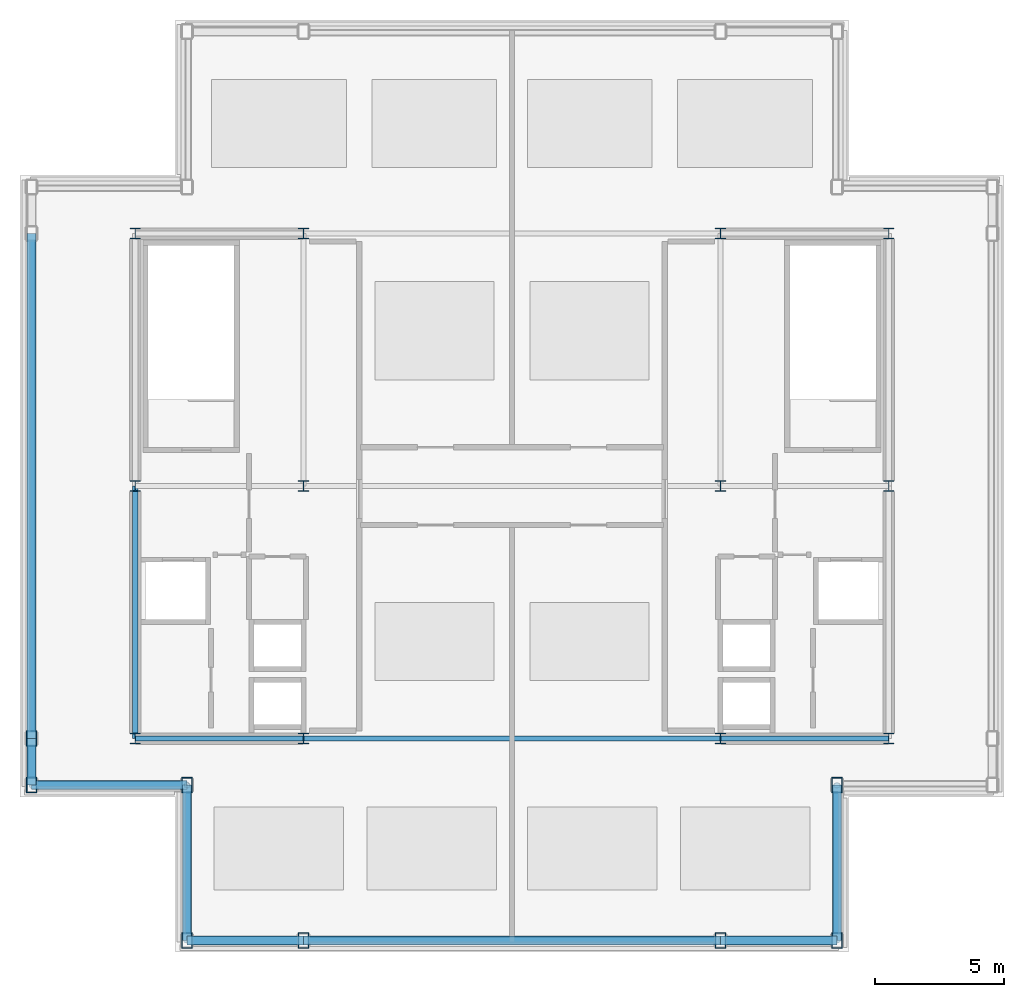
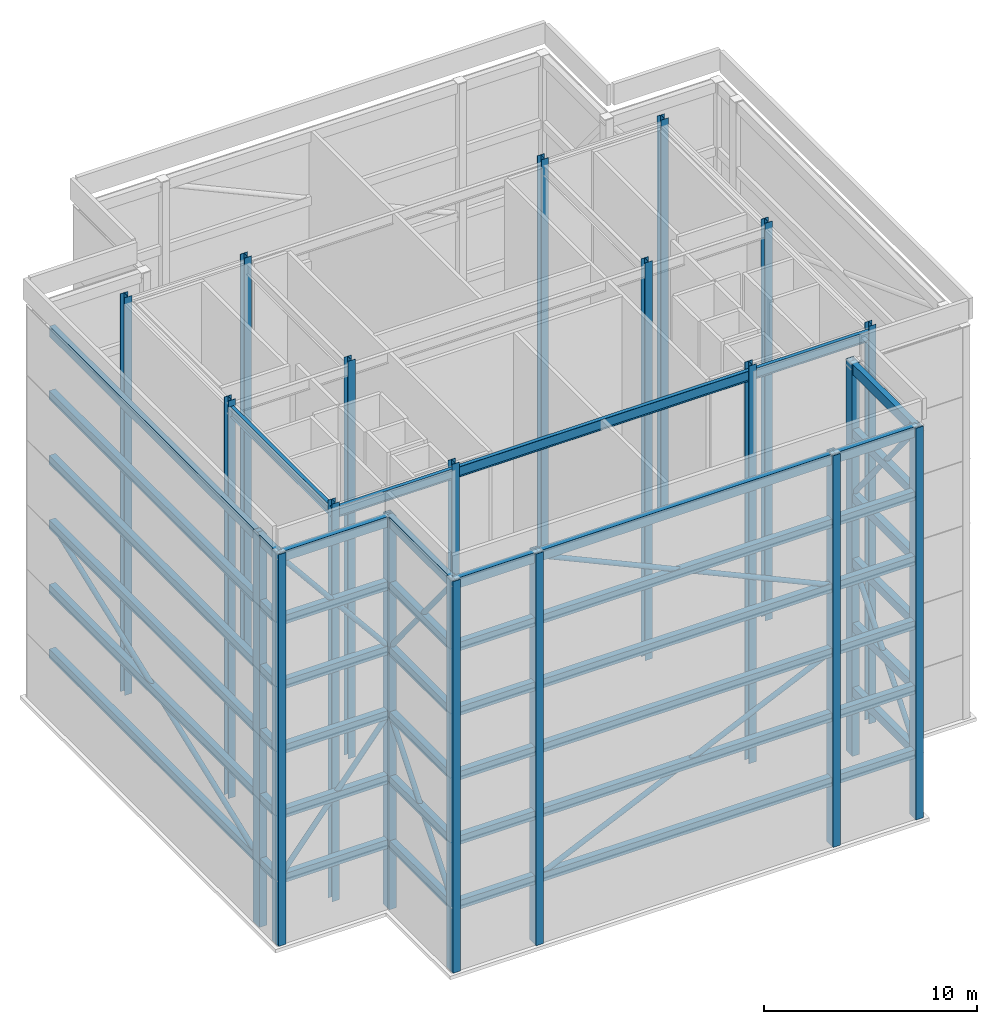
# One storey, part 1 of 8: 52 beams, 17 members, 12 columns.
"""IFC4 building model written with IfcOpenShell, lengths in metres."""

from ifc_helpers import new_model, si_unit, direction, frame, origin, origin_2d, place, context, subcontext, project, spatial, hollow_rectangle, hollow_circle, i_section, extrude, material, material_profile, profile_set, type_object, element, save


model = new_model("IFC4")

# Units and contexts
model_context = context("Model", 3, precision=1e-05, world=origin(), true_north=direction((0.0, 1.0)))
body_context = subcontext(model_context, "Body", "Model", "MODEL_VIEW")
ifc_project = project(units=[si_unit("LENGTHUNIT", "METRE"), si_unit("AREAUNIT", "SQUARE_METRE"), si_unit("VOLUMEUNIT", "CUBIC_METRE"), si_unit("PLANEANGLEUNIT", "RADIAN"), si_unit("MASSUNIT", "GRAM", prefix="KILO")], contexts=[model_context])

# Site, building, storey
site_placement = place(None, origin())
site = spatial("IfcSite", under=ifc_project, at=site_placement, CompositionType="ELEMENT")
building_placement = place(site_placement, origin())
building = spatial("IfcBuilding", under=site, at=building_placement, Name="Brelmoor Portico Tower", CompositionType="ELEMENT")
storey_placement = place(building_placement, frame((0.0, 0.0, 289.199951171875)))
storey = spatial("IfcBuildingStorey", under=building, at=storey_placement, Name="L76", CompositionType="ELEMENT", Elevation=289.199951171875)

# Columns
ifc_material = material(Name="Steel Q355B", Category="steel")
ifc_material_profile_1 = material_profile(ifc_material, i_section(OverallWidth=0.39990234375, OverallDepth=0.39990234375, WebThickness=0.012939453125, FlangeThickness=0.02099609375, at=origin_2d()), Name="HW 400x400x13x21")
ifc_profile_set_1 = profile_set([ifc_material_profile_1], Name="Steel Q355B")
column_type = type_object("IfcColumnType", Name="COL-SPINE-400", PredefinedType="COLUMN", material=ifc_profile_set_1)
for number, where, z_axis, x_axis, name in (
    (1, (-14.550048828125, -9.75, 0.0), (0.0, 0.0, 1.0), (1.0, 0.0, 0.0), "L76 Core Spine Column CW-SW"),
    (2, (-14.550048828125, 0.0, 0.0), (0.0, 0.0, 1.0), (1.0, 0.0, 0.0), "L76 Core Spine Column CW-MW"),
    (3, (-14.550048828125, 9.75, 0.0), (0.0, 0.0, 1.0), (1.0, 0.0, 0.0), "L76 Core Spine Column CW-NW"),
    (4, (-8.050048828125, -9.75, 0.0), (0.0, 0.0, 1.0), (1.0, 0.0, 0.0), "L76 Core Spine Column CW-SE"),
    (5, (-8.050048828125, 0.0, 0.0), (0.0, 0.0, 1.0), (1.0, 0.0, 0.0), "L76 Core Spine Column CW-ME"),
    (6, (-8.050048828125, 9.75, 0.0), (0.0, 0.0, 1.0), (1.0, 0.0, 0.0), "L76 Core Spine Column CW-NE"),
    (7, (8.050048828125, -9.75, 0.0), (0.0, 0.0, 1.0), (1.0, 0.0, 0.0), "L76 Core Spine Column CE-SW"),
    (8, (8.050048828125, 0.0, 0.0), (0.0, 0.0, 1.0), (1.0, 0.0, 0.0), "L76 Core Spine Column CE-MW"),
    (9, (8.050048828125, 9.75, 0.0), (0.0, 0.0, 1.0), (1.0, 0.0, 0.0), "L76 Core Spine Column CE-NW"),
    (10, (14.550048828125, -9.75, 0.0), (0.0, 0.0, 1.0), (1.0, 0.0, 0.0), "L76 Core Spine Column CE-SE"),
    (11, (14.550048828125, 0.0, 0.0), (0.0, 0.0, 1.0), (1.0, 0.0, 0.0), "L76 Core Spine Column CE-ME"),
    (12, (14.550048828125, 9.75, 0.0), (0.0, 0.0, 1.0), (1.0, 0.0, 0.0), "L76 Core Spine Column CE-NE"),
):
    element("IfcColumn", number, at=place(storey_placement, frame(where, z_axis=z_axis, x_axis=x_axis)), inside=storey, type_object=column_type, Name=name, PredefinedType="COLUMN", context=body_context, shape_type="SweptSolid", body=[
        extrude(i_section(OverallWidth=0.39990234375, OverallDepth=0.39990234375, WebThickness=0.012939453125, FlangeThickness=0.02099609375, at=origin_2d()), origin(), (0.0, 0.0, 1.0), 22.800048828125),
    ])

# Beams
ifc_material_profile_2 = material_profile(ifc_material, i_section(OverallWidth=0.199951171875, OverallDepth=0.60009765625, WebThickness=0.010986328125, FlangeThickness=0.01708984375, at=origin_2d()), Name="HN 600x200x11x17")
ifc_profile_set_2 = profile_set([ifc_material_profile_2], Name="Steel Q355B")
beam_type_1 = type_object("IfcBeamType", Name="BM-PG-600", PredefinedType="BEAM", material=ifc_profile_set_2)
beam_1_placement = place(storey_placement, frame((-14.550048828125, -9.75, 22.150146484375), z_axis=(0.0, 1.0, 0.0), x_axis=(-1.0, 0.0, 0.0)))
element("IfcBeam", 13, at=beam_1_placement, inside=storey, type_object=beam_type_1, Name="L76 Primary Floor Girder PG-01", PredefinedType="BEAM", context=body_context, shape_type="SweptSolid", body=[
    extrude(i_section(OverallWidth=0.199951171875, OverallDepth=0.60009765625, WebThickness=0.010986328125, FlangeThickness=0.01708984375, at=origin_2d()), origin(), (0.0, 0.0, 1.0), 9.75),
])
beam_2_placement = place(storey_placement, frame((-14.550048828125, -9.75, 22.150146484375), z_axis=(1.0, 0.0, 0.0), x_axis=(0.0, 1.0, 0.0)))
element("IfcBeam", 14, at=beam_2_placement, inside=storey, type_object=beam_type_1, Name="L76 Primary Floor Girder PG-07", PredefinedType="BEAM", context=body_context, shape_type="SweptSolid", body=[
    extrude(i_section(OverallWidth=0.199951171875, OverallDepth=0.60009765625, WebThickness=0.010986328125, FlangeThickness=0.01708984375, at=origin_2d()), origin(), (0.0, 0.0, 1.0), 6.5),
])
beam_3_placement = place(storey_placement, frame((-8.050048828125, -9.75, 22.150146484375), z_axis=(1.0, 0.0, 0.0), x_axis=(0.0, 1.0, 0.0)))
element("IfcBeam", 15, at=beam_3_placement, inside=storey, type_object=beam_type_1, Name="L76 Primary Floor Girder PG-08", PredefinedType="BEAM", context=body_context, shape_type="SweptSolid", body=[
    extrude(i_section(OverallWidth=0.199951171875, OverallDepth=0.60009765625, WebThickness=0.010986328125, FlangeThickness=0.01708984375, at=origin_2d()), origin(), (0.0, 0.0, 1.0), 16.10009765625),
])
beam_4_placement = place(storey_placement, frame((8.050048828125, -9.75, 22.150146484375), z_axis=(1.0, 0.0, 0.0), x_axis=(0.0, 1.0, 0.0)))
element("IfcBeam", 16, at=beam_4_placement, inside=storey, type_object=beam_type_1, Name="L76 Primary Floor Girder PG-09", PredefinedType="BEAM", context=body_context, shape_type="SweptSolid", body=[
    extrude(i_section(OverallWidth=0.199951171875, OverallDepth=0.60009765625, WebThickness=0.010986328125, FlangeThickness=0.01708984375, at=origin_2d()), origin(), (0.0, 0.0, 1.0), 6.5),
])

# Members
ifc_material_profile_3 = material_profile(ifc_material, hollow_circle(Radius=0.136474609375, WallThickness=0.011962890625, at=origin_2d()), Name="CHS 273x12")
ifc_profile_set_3 = profile_set([ifc_material_profile_3], Name="Steel Q355B")
member_type_1 = type_object("IfcMemberType", Name="CROWN FRAME BRACE", PredefinedType="BRACE", material=ifc_profile_set_3)
member_1_placement = place(storey_placement, frame((-8.050048828125, -17.550048828125, 3.699951171875), z_axis=(0.908616793884, 0.0, 0.417630844015), x_axis=(0.0, 1.0, 0.0)))
element("IfcMember", 17, at=member_1_placement, inside=storey, type_object=member_type_1, Name="CROWN FRAME Wind Brace 01A", PredefinedType="BRACE", context=body_context, shape_type="SweptSolid", body=[
    extrude(hollow_circle(Radius=0.136474609375, WallThickness=0.011962890625, at=origin_2d()), origin(), (0.0, 0.0, 1.0), 17.71923828125),
])
member_2_placement = place(storey_placement, frame((8.050048828125, -17.550048828125, 14.800048828125), z_axis=(-0.909686870958, 0.0, 0.415294831181), x_axis=(0.0, -1.0, 0.0)))
element("IfcMember", 18, at=member_2_placement, inside=storey, type_object=member_type_1, Name="CROWN FRAME Wind Brace 01B", PredefinedType="BRACE", context=body_context, shape_type="SweptSolid", body=[
    extrude(hollow_circle(Radius=0.136474609375, WallThickness=0.011962890625, at=origin_2d()), origin(), (0.0, 0.0, 1.0), 17.698486328125),
])
member_3_placement = place(storey_placement, frame((-18.550048828125, -11.550048828125, 3.699951171875), z_axis=(0.629794436495, 0.0, 0.776761847518), x_axis=(0.0, 1.0, 0.0)))
element("IfcMember", 19, at=member_3_placement, inside=storey, type_object=member_type_1, Name="CROWN FRAME Wind Brace 02A", PredefinedType="BRACE", context=body_context, shape_type="SweptSolid", body=[
    extrude(hollow_circle(Radius=0.136474609375, WallThickness=0.011962890625, at=origin_2d()), origin(), (0.0, 0.0, 1.0), 9.52685546875),
])
member_4_placement = place(storey_placement, frame((-12.550048828125, -11.550048828125, 14.800048828125), z_axis=(-0.632371447832, 0.0, 0.774665316099), x_axis=(0.0, -1.0, 0.0)))
element("IfcMember", 20, at=member_4_placement, inside=storey, type_object=member_type_1, Name="CROWN FRAME Wind Brace 02B", PredefinedType="BRACE", context=body_context, shape_type="SweptSolid", body=[
    extrude(hollow_circle(Radius=0.136474609375, WallThickness=0.011962890625, at=origin_2d()), origin(), (0.0, 0.0, 1.0), 9.488037109375),
])
member_5_placement = place(storey_placement, frame((-18.550048828125, -9.75, 3.699951171875), z_axis=(0.0, 0.934940361729, 0.354804904151), x_axis=(-1.0, 0.0, 0.0)))
element("IfcMember", 21, at=member_5_placement, inside=storey, type_object=member_type_1, Name="CROWN FRAME Wind Brace 07A", PredefinedType="BRACE", context=body_context, shape_type="SweptSolid", body=[
    extrude(hollow_circle(Radius=0.136474609375, WallThickness=0.011962890625, at=origin_2d()), origin(), (0.0, 0.0, 1.0), 20.85693359375),
])
member_6_placement = place(storey_placement, frame((-12.550048828125, -17.550048828125, 3.699951171875), z_axis=(0.0, 0.629794436495, 0.776761847518), x_axis=(-1.0, 0.0, 0.0)))
element("IfcMember", 22, at=member_6_placement, inside=storey, type_object=member_type_1, Name="CROWN FRAME Wind Brace 08A", PredefinedType="BRACE", context=body_context, shape_type="SweptSolid", body=[
    extrude(hollow_circle(Radius=0.136474609375, WallThickness=0.011962890625, at=origin_2d()), origin(), (0.0, 0.0, 1.0), 9.52685546875),
])
member_7_placement = place(storey_placement, frame((-12.550048828125, -11.550048828125, 14.800048828125), z_axis=(0.0, -0.632371447832, 0.774665316099), x_axis=(1.0, 0.0, 0.0)))
element("IfcMember", 23, at=member_7_placement, inside=storey, type_object=member_type_1, Name="CROWN FRAME Wind Brace 08B", PredefinedType="BRACE", context=body_context, shape_type="SweptSolid", body=[
    extrude(hollow_circle(Radius=0.136474609375, WallThickness=0.011962890625, at=origin_2d()), origin(), (0.0, 0.0, 1.0), 9.488037109375),
])
member_8_placement = place(storey_placement, frame((12.550048828125, -17.550048828125, 3.699951171875), z_axis=(0.0, 0.629794436495, 0.776761847518), x_axis=(-1.0, 0.0, 0.0)))
element("IfcMember", 24, at=member_8_placement, inside=storey, type_object=member_type_1, Name="CROWN FRAME Wind Brace 10A", PredefinedType="BRACE", context=body_context, shape_type="SweptSolid", body=[
    extrude(hollow_circle(Radius=0.136474609375, WallThickness=0.011962890625, at=origin_2d()), origin(), (0.0, 0.0, 1.0), 9.52685546875),
])
member_9_placement = place(storey_placement, frame((12.550048828125, -11.550048828125, 14.800048828125), z_axis=(0.0, -0.632371447832, 0.774665316099), x_axis=(1.0, 0.0, 0.0)))
element("IfcMember", 25, at=member_9_placement, inside=storey, type_object=member_type_1, Name="CROWN FRAME Wind Brace 10B", PredefinedType="BRACE", context=body_context, shape_type="SweptSolid", body=[
    extrude(hollow_circle(Radius=0.136474609375, WallThickness=0.011962890625, at=origin_2d()), origin(), (0.0, 0.0, 1.0), 9.488037109375),
])
ifc_material_profile_4 = material_profile(ifc_material, hollow_rectangle(XDim=0.39990234375, YDim=0.60009765625, WallThickness=0.02392578125, at=origin_2d()), Name="RHS 400x600x24")
ifc_profile_set_4 = profile_set([ifc_material_profile_4], Name="Steel Q355B")
member_type_2 = type_object("IfcMemberType", Name="CROWN FRAME POST", PredefinedType="POST", material=ifc_profile_set_4)
for number, where, z_axis, x_axis, name in (
    (26, (-12.550048828125, -17.550048828125, 0.0), (0.0, 0.0, 1.0), (1.0, 0.0, 0.0), "CROWN FRAME Vertical Post PS01"),
    (27, (-8.050048828125, -17.550048828125, 0.0), (0.0, 0.0, 1.0), (1.0, 0.0, 0.0), "CROWN FRAME Vertical Post PS02"),
    (28, (8.050048828125, -17.550048828125, 0.0), (0.0, 0.0, 1.0), (1.0, 0.0, 0.0), "CROWN FRAME Vertical Post PS03"),
    (29, (12.550048828125, -17.550048828125, 0.0), (0.0, 0.0, 1.0), (1.0, 0.0, 0.0), "CROWN FRAME Vertical Post PS04"),
    (30, (-18.550048828125, -11.550048828125, 0.0), (0.0, 0.0, 1.0), (1.0, 0.0, 0.0), "CROWN FRAME Vertical Post PW01"),
    (31, (-18.550048828125, -9.75, 0.0), (0.0, 0.0, 1.0), (1.0, 0.0, 0.0), "CROWN FRAME Vertical Post PW02"),
    (32, (12.550048828125, -11.550048828125, 0.0), (0.0, 0.0, 1.0), (1.0, 0.0, 0.0), "CROWN FRAME Vertical Post PC-SE"),
    (33, (-12.550048828125, -11.550048828125, 0.0), (0.0, 0.0, 1.0), (1.0, 0.0, 0.0), "CROWN FRAME Vertical Post PC-SW"),
):
    element("IfcMember", number, at=place(storey_placement, frame(where, z_axis=z_axis, x_axis=x_axis)), inside=storey, type_object=member_type_2, Name=name, PredefinedType="POST", context=body_context, shape_type="SweptSolid", body=[
        extrude(hollow_rectangle(XDim=0.39990234375, YDim=0.60009765625, WallThickness=0.02392578125, at=origin_2d()), origin(), (0.0, 0.0, 1.0), 22.449951171875),
    ])

# Beams
ifc_material_profile_5 = material_profile(ifc_material, hollow_rectangle(XDim=0.35009765625, YDim=0.5, WallThickness=0.02001953125, at=origin_2d()), Name="RHS 350x500x20")
ifc_profile_set_5 = profile_set([ifc_material_profile_5], Name="Steel Q355B")
beam_type_2 = type_object("IfcBeamType", Name="CROWN FRAME RING", PredefinedType="SPANDREL", material=ifc_profile_set_5)
beam_5_placement = place(storey_placement, frame((-12.550048828125, -17.550048828125, 3.699951171875), z_axis=(1.0, 0.0, 0.0), x_axis=(0.0, 1.0, 0.0)))
element("IfcBeam", 34, at=beam_5_placement, inside=storey, type_object=beam_type_2, Name="CROWN FRAME Ring Beam Tier 1-01", PredefinedType="SPANDREL", context=body_context, shape_type="SweptSolid", body=[
    extrude(hollow_rectangle(XDim=0.35009765625, YDim=0.5, WallThickness=0.02001953125, at=origin_2d()), origin(), (0.0, 0.0, 1.0), 4.5),
])
beam_6_placement = place(storey_placement, frame((-8.050048828125, -17.550048828125, 3.699951171875), z_axis=(1.0, 0.0, 0.0), x_axis=(0.0, 1.0, 0.0)))
element("IfcBeam", 35, at=beam_6_placement, inside=storey, type_object=beam_type_2, Name="CROWN FRAME Ring Beam Tier 1-02", PredefinedType="SPANDREL", context=body_context, shape_type="SweptSolid", body=[
    extrude(hollow_rectangle(XDim=0.35009765625, YDim=0.5, WallThickness=0.02001953125, at=origin_2d()), origin(), (0.0, 0.0, 1.0), 16.10009765625),
])
beam_7_placement = place(storey_placement, frame((8.050048828125, -17.550048828125, 3.699951171875), z_axis=(1.0, 0.0, 0.0), x_axis=(0.0, 1.0, 0.0)))
element("IfcBeam", 36, at=beam_7_placement, inside=storey, type_object=beam_type_2, Name="CROWN FRAME Ring Beam Tier 1-03", PredefinedType="SPANDREL", context=body_context, shape_type="SweptSolid", body=[
    extrude(hollow_rectangle(XDim=0.35009765625, YDim=0.5, WallThickness=0.02001953125, at=origin_2d()), origin(), (0.0, 0.0, 1.0), 4.5),
])
beam_8_placement = place(storey_placement, frame((-18.550048828125, -11.550048828125, 3.699951171875), z_axis=(1.0, 0.0, 0.0), x_axis=(0.0, 1.0, 0.0)))
element("IfcBeam", 37, at=beam_8_placement, inside=storey, type_object=beam_type_2, Name="CROWN FRAME Ring Beam Tier 1-04", PredefinedType="SPANDREL", context=body_context, shape_type="SweptSolid", body=[
    extrude(hollow_rectangle(XDim=0.35009765625, YDim=0.5, WallThickness=0.02001953125, at=origin_2d()), origin(), (0.0, 0.0, 1.0), 6.0),
])
beam_9_placement = place(storey_placement, frame((-18.550048828125, -11.550048828125, 3.699951171875), z_axis=(0.0, 1.0, 0.0), x_axis=(-1.0, 0.0, 0.0)))
element("IfcBeam", 38, at=beam_9_placement, inside=storey, type_object=beam_type_2, Name="CROWN FRAME Ring Beam Tier 1-11", PredefinedType="SPANDREL", context=body_context, shape_type="SweptSolid", body=[
    extrude(hollow_rectangle(XDim=0.35009765625, YDim=0.5, WallThickness=0.02001953125, at=origin_2d()), origin(), (0.0, 0.0, 1.0), 1.800048828125),
])
beam_10_placement = place(storey_placement, frame((-18.550048828125, -9.75, 3.699951171875), z_axis=(0.0, 1.0, 0.0), x_axis=(-1.0, 0.0, 0.0)))
element("IfcBeam", 39, at=beam_10_placement, inside=storey, type_object=beam_type_2, Name="CROWN FRAME Ring Beam Tier 1-12", PredefinedType="SPANDREL", context=body_context, shape_type="SweptSolid", body=[
    extrude(hollow_rectangle(XDim=0.35009765625, YDim=0.5, WallThickness=0.02001953125, at=origin_2d()), origin(), (0.0, 0.0, 1.0), 19.5),
])
for number, where, z_axis, x_axis, name in (
    (40, (-12.550048828125, -17.550048828125, 3.699951171875), (0.0, 1.0, 0.0), (-1.0, 0.0, 0.0), "CROWN FRAME Ring Beam Tier 1-14"),
    (41, (12.550048828125, -17.550048828125, 3.699951171875), (0.0, 1.0, 0.0), (-1.0, 0.0, 0.0), "CROWN FRAME Ring Beam Tier 1-16"),
):
    element("IfcBeam", number, at=place(storey_placement, frame(where, z_axis=z_axis, x_axis=x_axis)), inside=storey, type_object=beam_type_2, Name=name, PredefinedType="SPANDREL", context=body_context, shape_type="SweptSolid", body=[
        extrude(hollow_rectangle(XDim=0.35009765625, YDim=0.5, WallThickness=0.02001953125, at=origin_2d()), origin(), (0.0, 0.0, 1.0), 6.0),
    ])
beam_11_placement = place(storey_placement, frame((-12.550048828125, -17.550048828125, 7.400146484375), z_axis=(1.0, 0.0, 0.0), x_axis=(0.0, 1.0, 0.0)))
element("IfcBeam", 42, at=beam_11_placement, inside=storey, type_object=beam_type_2, Name="CROWN FRAME Ring Beam Tier 2-01", PredefinedType="SPANDREL", context=body_context, shape_type="SweptSolid", body=[
    extrude(hollow_rectangle(XDim=0.35009765625, YDim=0.5, WallThickness=0.02001953125, at=origin_2d()), origin(), (0.0, 0.0, 1.0), 4.5),
])
beam_12_placement = place(storey_placement, frame((-8.050048828125, -17.550048828125, 7.400146484375), z_axis=(1.0, 0.0, 0.0), x_axis=(0.0, 1.0, 0.0)))
element("IfcBeam", 43, at=beam_12_placement, inside=storey, type_object=beam_type_2, Name="CROWN FRAME Ring Beam Tier 2-02", PredefinedType="SPANDREL", context=body_context, shape_type="SweptSolid", body=[
    extrude(hollow_rectangle(XDim=0.35009765625, YDim=0.5, WallThickness=0.02001953125, at=origin_2d()), origin(), (0.0, 0.0, 1.0), 16.10009765625),
])
beam_13_placement = place(storey_placement, frame((8.050048828125, -17.550048828125, 7.400146484375), z_axis=(1.0, 0.0, 0.0), x_axis=(0.0, 1.0, 0.0)))
element("IfcBeam", 44, at=beam_13_placement, inside=storey, type_object=beam_type_2, Name="CROWN FRAME Ring Beam Tier 2-03", PredefinedType="SPANDREL", context=body_context, shape_type="SweptSolid", body=[
    extrude(hollow_rectangle(XDim=0.35009765625, YDim=0.5, WallThickness=0.02001953125, at=origin_2d()), origin(), (0.0, 0.0, 1.0), 4.5),
])
beam_14_placement = place(storey_placement, frame((-18.550048828125, -11.550048828125, 7.400146484375), z_axis=(1.0, 0.0, 0.0), x_axis=(0.0, 1.0, 0.0)))
element("IfcBeam", 45, at=beam_14_placement, inside=storey, type_object=beam_type_2, Name="CROWN FRAME Ring Beam Tier 2-04", PredefinedType="SPANDREL", context=body_context, shape_type="SweptSolid", body=[
    extrude(hollow_rectangle(XDim=0.35009765625, YDim=0.5, WallThickness=0.02001953125, at=origin_2d()), origin(), (0.0, 0.0, 1.0), 6.0),
])
beam_15_placement = place(storey_placement, frame((-18.550048828125, -11.550048828125, 7.400146484375), z_axis=(0.0, 1.0, 0.0), x_axis=(-1.0, 0.0, 0.0)))
element("IfcBeam", 46, at=beam_15_placement, inside=storey, type_object=beam_type_2, Name="CROWN FRAME Ring Beam Tier 2-11", PredefinedType="SPANDREL", context=body_context, shape_type="SweptSolid", body=[
    extrude(hollow_rectangle(XDim=0.35009765625, YDim=0.5, WallThickness=0.02001953125, at=origin_2d()), origin(), (0.0, 0.0, 1.0), 1.800048828125),
])
beam_16_placement = place(storey_placement, frame((-18.550048828125, -9.75, 7.400146484375), z_axis=(0.0, 1.0, 0.0), x_axis=(-1.0, 0.0, 0.0)))
element("IfcBeam", 47, at=beam_16_placement, inside=storey, type_object=beam_type_2, Name="CROWN FRAME Ring Beam Tier 2-12", PredefinedType="SPANDREL", context=body_context, shape_type="SweptSolid", body=[
    extrude(hollow_rectangle(XDim=0.35009765625, YDim=0.5, WallThickness=0.02001953125, at=origin_2d()), origin(), (0.0, 0.0, 1.0), 19.5),
])
for number, where, z_axis, x_axis, name in (
    (48, (-12.550048828125, -17.550048828125, 7.400146484375), (0.0, 1.0, 0.0), (-1.0, 0.0, 0.0), "CROWN FRAME Ring Beam Tier 2-14"),
    (49, (12.550048828125, -17.550048828125, 7.400146484375), (0.0, 1.0, 0.0), (-1.0, 0.0, 0.0), "CROWN FRAME Ring Beam Tier 2-16"),
):
    element("IfcBeam", number, at=place(storey_placement, frame(where, z_axis=z_axis, x_axis=x_axis)), inside=storey, type_object=beam_type_2, Name=name, PredefinedType="SPANDREL", context=body_context, shape_type="SweptSolid", body=[
        extrude(hollow_rectangle(XDim=0.35009765625, YDim=0.5, WallThickness=0.02001953125, at=origin_2d()), origin(), (0.0, 0.0, 1.0), 6.0),
    ])
beam_17_placement = place(storey_placement, frame((-12.550048828125, -17.550048828125, 11.10009765625), z_axis=(1.0, 0.0, 0.0), x_axis=(0.0, 1.0, 0.0)))
element("IfcBeam", 50, at=beam_17_placement, inside=storey, type_object=beam_type_2, Name="CROWN FRAME Ring Beam Tier 3-01", PredefinedType="SPANDREL", context=body_context, shape_type="SweptSolid", body=[
    extrude(hollow_rectangle(XDim=0.35009765625, YDim=0.5, WallThickness=0.02001953125, at=origin_2d()), origin(), (0.0, 0.0, 1.0), 4.5),
])
beam_18_placement = place(storey_placement, frame((-8.050048828125, -17.550048828125, 11.10009765625), z_axis=(1.0, 0.0, 0.0), x_axis=(0.0, 1.0, 0.0)))
element("IfcBeam", 51, at=beam_18_placement, inside=storey, type_object=beam_type_2, Name="CROWN FRAME Ring Beam Tier 3-02", PredefinedType="SPANDREL", context=body_context, shape_type="SweptSolid", body=[
    extrude(hollow_rectangle(XDim=0.35009765625, YDim=0.5, WallThickness=0.02001953125, at=origin_2d()), origin(), (0.0, 0.0, 1.0), 16.10009765625),
])
beam_19_placement = place(storey_placement, frame((8.050048828125, -17.550048828125, 11.10009765625), z_axis=(1.0, 0.0, 0.0), x_axis=(0.0, 1.0, 0.0)))
element("IfcBeam", 52, at=beam_19_placement, inside=storey, type_object=beam_type_2, Name="CROWN FRAME Ring Beam Tier 3-03", PredefinedType="SPANDREL", context=body_context, shape_type="SweptSolid", body=[
    extrude(hollow_rectangle(XDim=0.35009765625, YDim=0.5, WallThickness=0.02001953125, at=origin_2d()), origin(), (0.0, 0.0, 1.0), 4.5),
])
beam_20_placement = place(storey_placement, frame((-18.550048828125, -11.550048828125, 11.10009765625), z_axis=(1.0, 0.0, 0.0), x_axis=(0.0, 1.0, 0.0)))
element("IfcBeam", 53, at=beam_20_placement, inside=storey, type_object=beam_type_2, Name="CROWN FRAME Ring Beam Tier 3-04", PredefinedType="SPANDREL", context=body_context, shape_type="SweptSolid", body=[
    extrude(hollow_rectangle(XDim=0.35009765625, YDim=0.5, WallThickness=0.02001953125, at=origin_2d()), origin(), (0.0, 0.0, 1.0), 6.0),
])
beam_21_placement = place(storey_placement, frame((-18.550048828125, -11.550048828125, 11.10009765625), z_axis=(0.0, 1.0, 0.0), x_axis=(-1.0, 0.0, 0.0)))
element("IfcBeam", 54, at=beam_21_placement, inside=storey, type_object=beam_type_2, Name="CROWN FRAME Ring Beam Tier 3-11", PredefinedType="SPANDREL", context=body_context, shape_type="SweptSolid", body=[
    extrude(hollow_rectangle(XDim=0.35009765625, YDim=0.5, WallThickness=0.02001953125, at=origin_2d()), origin(), (0.0, 0.0, 1.0), 1.800048828125),
])
beam_22_placement = place(storey_placement, frame((-18.550048828125, -9.75, 11.10009765625), z_axis=(0.0, 1.0, 0.0), x_axis=(-1.0, 0.0, 0.0)))
element("IfcBeam", 55, at=beam_22_placement, inside=storey, type_object=beam_type_2, Name="CROWN FRAME Ring Beam Tier 3-12", PredefinedType="SPANDREL", context=body_context, shape_type="SweptSolid", body=[
    extrude(hollow_rectangle(XDim=0.35009765625, YDim=0.5, WallThickness=0.02001953125, at=origin_2d()), origin(), (0.0, 0.0, 1.0), 19.5),
])
for number, where, z_axis, x_axis, name in (
    (56, (-12.550048828125, -17.550048828125, 11.10009765625), (0.0, 1.0, 0.0), (-1.0, 0.0, 0.0), "CROWN FRAME Ring Beam Tier 3-14"),
    (57, (12.550048828125, -17.550048828125, 11.10009765625), (0.0, 1.0, 0.0), (-1.0, 0.0, 0.0), "CROWN FRAME Ring Beam Tier 3-16"),
):
    element("IfcBeam", number, at=place(storey_placement, frame(where, z_axis=z_axis, x_axis=x_axis)), inside=storey, type_object=beam_type_2, Name=name, PredefinedType="SPANDREL", context=body_context, shape_type="SweptSolid", body=[
        extrude(hollow_rectangle(XDim=0.35009765625, YDim=0.5, WallThickness=0.02001953125, at=origin_2d()), origin(), (0.0, 0.0, 1.0), 6.0),
    ])
beam_23_placement = place(storey_placement, frame((-12.550048828125, -17.550048828125, 14.800048828125), z_axis=(1.0, 0.0, 0.0), x_axis=(0.0, 1.0, 0.0)))
element("IfcBeam", 58, at=beam_23_placement, inside=storey, type_object=beam_type_2, Name="CROWN FRAME Ring Beam Tier 4-01", PredefinedType="SPANDREL", context=body_context, shape_type="SweptSolid", body=[
    extrude(hollow_rectangle(XDim=0.35009765625, YDim=0.5, WallThickness=0.02001953125, at=origin_2d()), origin(), (0.0, 0.0, 1.0), 4.5),
])
beam_24_placement = place(storey_placement, frame((-8.050048828125, -17.550048828125, 14.800048828125), z_axis=(1.0, 0.0, 0.0), x_axis=(0.0, 1.0, 0.0)))
element("IfcBeam", 59, at=beam_24_placement, inside=storey, type_object=beam_type_2, Name="CROWN FRAME Ring Beam Tier 4-02", PredefinedType="SPANDREL", context=body_context, shape_type="SweptSolid", body=[
    extrude(hollow_rectangle(XDim=0.35009765625, YDim=0.5, WallThickness=0.02001953125, at=origin_2d()), origin(), (0.0, 0.0, 1.0), 16.10009765625),
])
beam_25_placement = place(storey_placement, frame((8.050048828125, -17.550048828125, 14.800048828125), z_axis=(1.0, 0.0, 0.0), x_axis=(0.0, 1.0, 0.0)))
element("IfcBeam", 60, at=beam_25_placement, inside=storey, type_object=beam_type_2, Name="CROWN FRAME Ring Beam Tier 4-03", PredefinedType="SPANDREL", context=body_context, shape_type="SweptSolid", body=[
    extrude(hollow_rectangle(XDim=0.35009765625, YDim=0.5, WallThickness=0.02001953125, at=origin_2d()), origin(), (0.0, 0.0, 1.0), 4.5),
])
beam_26_placement = place(storey_placement, frame((-18.550048828125, -11.550048828125, 14.800048828125), z_axis=(1.0, 0.0, 0.0), x_axis=(0.0, 1.0, 0.0)))
element("IfcBeam", 61, at=beam_26_placement, inside=storey, type_object=beam_type_2, Name="CROWN FRAME Ring Beam Tier 4-04", PredefinedType="SPANDREL", context=body_context, shape_type="SweptSolid", body=[
    extrude(hollow_rectangle(XDim=0.35009765625, YDim=0.5, WallThickness=0.02001953125, at=origin_2d()), origin(), (0.0, 0.0, 1.0), 6.0),
])
beam_27_placement = place(storey_placement, frame((-18.550048828125, -11.550048828125, 14.800048828125), z_axis=(0.0, 1.0, 0.0), x_axis=(-1.0, 0.0, 0.0)))
element("IfcBeam", 62, at=beam_27_placement, inside=storey, type_object=beam_type_2, Name="CROWN FRAME Ring Beam Tier 4-11", PredefinedType="SPANDREL", context=body_context, shape_type="SweptSolid", body=[
    extrude(hollow_rectangle(XDim=0.35009765625, YDim=0.5, WallThickness=0.02001953125, at=origin_2d()), origin(), (0.0, 0.0, 1.0), 1.800048828125),
])
beam_28_placement = place(storey_placement, frame((-18.550048828125, -9.75, 14.800048828125), z_axis=(0.0, 1.0, 0.0), x_axis=(-1.0, 0.0, 0.0)))
element("IfcBeam", 63, at=beam_28_placement, inside=storey, type_object=beam_type_2, Name="CROWN FRAME Ring Beam Tier 4-12", PredefinedType="SPANDREL", context=body_context, shape_type="SweptSolid", body=[
    extrude(hollow_rectangle(XDim=0.35009765625, YDim=0.5, WallThickness=0.02001953125, at=origin_2d()), origin(), (0.0, 0.0, 1.0), 19.5),
])
for number, where, z_axis, x_axis, name in (
    (64, (-12.550048828125, -17.550048828125, 14.800048828125), (0.0, 1.0, 0.0), (-1.0, 0.0, 0.0), "CROWN FRAME Ring Beam Tier 4-14"),
    (65, (12.550048828125, -17.550048828125, 14.800048828125), (0.0, 1.0, 0.0), (-1.0, 0.0, 0.0), "CROWN FRAME Ring Beam Tier 4-16"),
):
    element("IfcBeam", number, at=place(storey_placement, frame(where, z_axis=z_axis, x_axis=x_axis)), inside=storey, type_object=beam_type_2, Name=name, PredefinedType="SPANDREL", context=body_context, shape_type="SweptSolid", body=[
        extrude(hollow_rectangle(XDim=0.35009765625, YDim=0.5, WallThickness=0.02001953125, at=origin_2d()), origin(), (0.0, 0.0, 1.0), 6.0),
    ])
beam_29_placement = place(storey_placement, frame((-12.550048828125, -17.550048828125, 18.5), z_axis=(1.0, 0.0, 0.0), x_axis=(0.0, 1.0, 0.0)))
element("IfcBeam", 66, at=beam_29_placement, inside=storey, type_object=beam_type_2, Name="CROWN FRAME Ring Beam Tier 5-01", PredefinedType="SPANDREL", context=body_context, shape_type="SweptSolid", body=[
    extrude(hollow_rectangle(XDim=0.35009765625, YDim=0.5, WallThickness=0.02001953125, at=origin_2d()), origin(), (0.0, 0.0, 1.0), 4.5),
])
beam_30_placement = place(storey_placement, frame((-8.050048828125, -17.550048828125, 18.5), z_axis=(1.0, 0.0, 0.0), x_axis=(0.0, 1.0, 0.0)))
element("IfcBeam", 67, at=beam_30_placement, inside=storey, type_object=beam_type_2, Name="CROWN FRAME Ring Beam Tier 5-02", PredefinedType="SPANDREL", context=body_context, shape_type="SweptSolid", body=[
    extrude(hollow_rectangle(XDim=0.35009765625, YDim=0.5, WallThickness=0.02001953125, at=origin_2d()), origin(), (0.0, 0.0, 1.0), 16.10009765625),
])
beam_31_placement = place(storey_placement, frame((8.050048828125, -17.550048828125, 18.5), z_axis=(1.0, 0.0, 0.0), x_axis=(0.0, 1.0, 0.0)))
element("IfcBeam", 68, at=beam_31_placement, inside=storey, type_object=beam_type_2, Name="CROWN FRAME Ring Beam Tier 5-03", PredefinedType="SPANDREL", context=body_context, shape_type="SweptSolid", body=[
    extrude(hollow_rectangle(XDim=0.35009765625, YDim=0.5, WallThickness=0.02001953125, at=origin_2d()), origin(), (0.0, 0.0, 1.0), 4.5),
])
beam_32_placement = place(storey_placement, frame((-18.550048828125, -11.550048828125, 18.5), z_axis=(1.0, 0.0, 0.0), x_axis=(0.0, 1.0, 0.0)))
element("IfcBeam", 69, at=beam_32_placement, inside=storey, type_object=beam_type_2, Name="CROWN FRAME Ring Beam Tier 5-04", PredefinedType="SPANDREL", context=body_context, shape_type="SweptSolid", body=[
    extrude(hollow_rectangle(XDim=0.35009765625, YDim=0.5, WallThickness=0.02001953125, at=origin_2d()), origin(), (0.0, 0.0, 1.0), 6.0),
])
beam_33_placement = place(storey_placement, frame((-18.550048828125, -11.550048828125, 18.5), z_axis=(0.0, 1.0, 0.0), x_axis=(-1.0, 0.0, 0.0)))
element("IfcBeam", 70, at=beam_33_placement, inside=storey, type_object=beam_type_2, Name="CROWN FRAME Ring Beam Tier 5-11", PredefinedType="SPANDREL", context=body_context, shape_type="SweptSolid", body=[
    extrude(hollow_rectangle(XDim=0.35009765625, YDim=0.5, WallThickness=0.02001953125, at=origin_2d()), origin(), (0.0, 0.0, 1.0), 1.800048828125),
])
beam_34_placement = place(storey_placement, frame((-18.550048828125, -9.75, 18.5), z_axis=(0.0, 1.0, 0.0), x_axis=(-1.0, 0.0, 0.0)))
element("IfcBeam", 71, at=beam_34_placement, inside=storey, type_object=beam_type_2, Name="CROWN FRAME Ring Beam Tier 5-12", PredefinedType="SPANDREL", context=body_context, shape_type="SweptSolid", body=[
    extrude(hollow_rectangle(XDim=0.35009765625, YDim=0.5, WallThickness=0.02001953125, at=origin_2d()), origin(), (0.0, 0.0, 1.0), 19.5),
])
for number, where, z_axis, x_axis, name in (
    (72, (-12.550048828125, -17.550048828125, 18.5), (0.0, 1.0, 0.0), (-1.0, 0.0, 0.0), "CROWN FRAME Ring Beam Tier 5-14"),
    (73, (12.550048828125, -17.550048828125, 18.5), (0.0, 1.0, 0.0), (-1.0, 0.0, 0.0), "CROWN FRAME Ring Beam Tier 5-16"),
):
    element("IfcBeam", number, at=place(storey_placement, frame(where, z_axis=z_axis, x_axis=x_axis)), inside=storey, type_object=beam_type_2, Name=name, PredefinedType="SPANDREL", context=body_context, shape_type="SweptSolid", body=[
        extrude(hollow_rectangle(XDim=0.35009765625, YDim=0.5, WallThickness=0.02001953125, at=origin_2d()), origin(), (0.0, 0.0, 1.0), 6.0),
    ])
ifc_material_profile_6 = material_profile(ifc_material, hollow_rectangle(XDim=0.300048828125, YDim=0.60009765625, WallThickness=0.02001953125, at=origin_2d()), Name="RHS 300x600x20")
ifc_profile_set_6 = profile_set([ifc_material_profile_6], Name="Steel Q355B")
beam_type_3 = type_object("IfcBeamType", Name="CROWN FRAME TIE", PredefinedType="BEAM", material=ifc_profile_set_6)
beam_35_placement = place(storey_placement, frame((-12.550048828125, -17.550048828125, 22.150146484375), z_axis=(1.0, 0.0, 0.0), x_axis=(0.0, 1.0, 0.0)))
element("IfcBeam", 74, at=beam_35_placement, inside=storey, type_object=beam_type_3, Name="CROWN FRAME Ring Beam Tier 6-01", PredefinedType="BEAM", context=body_context, shape_type="SweptSolid", body=[
    extrude(hollow_rectangle(XDim=0.300048828125, YDim=0.60009765625, WallThickness=0.02001953125, at=origin_2d()), origin(), (0.0, 0.0, 1.0), 4.5),
])
beam_36_placement = place(storey_placement, frame((-8.050048828125, -17.550048828125, 22.150146484375), z_axis=(1.0, 0.0, 0.0), x_axis=(0.0, 1.0, 0.0)))
element("IfcBeam", 75, at=beam_36_placement, inside=storey, type_object=beam_type_3, Name="CROWN FRAME Ring Beam Tier 6-02", PredefinedType="BEAM", context=body_context, shape_type="SweptSolid", body=[
    extrude(hollow_rectangle(XDim=0.300048828125, YDim=0.60009765625, WallThickness=0.02001953125, at=origin_2d()), origin(), (0.0, 0.0, 1.0), 16.10009765625),
])
beam_37_placement = place(storey_placement, frame((8.050048828125, -17.550048828125, 22.150146484375), z_axis=(1.0, 0.0, 0.0), x_axis=(0.0, 1.0, 0.0)))
element("IfcBeam", 76, at=beam_37_placement, inside=storey, type_object=beam_type_3, Name="CROWN FRAME Ring Beam Tier 6-03", PredefinedType="BEAM", context=body_context, shape_type="SweptSolid", body=[
    extrude(hollow_rectangle(XDim=0.300048828125, YDim=0.60009765625, WallThickness=0.02001953125, at=origin_2d()), origin(), (0.0, 0.0, 1.0), 4.5),
])
beam_38_placement = place(storey_placement, frame((-18.550048828125, -11.550048828125, 22.150146484375), z_axis=(1.0, 0.0, 0.0), x_axis=(0.0, 1.0, 0.0)))
element("IfcBeam", 77, at=beam_38_placement, inside=storey, type_object=beam_type_3, Name="CROWN FRAME Ring Beam Tier 6-04", PredefinedType="BEAM", context=body_context, shape_type="SweptSolid", body=[
    extrude(hollow_rectangle(XDim=0.300048828125, YDim=0.60009765625, WallThickness=0.02001953125, at=origin_2d()), origin(), (0.0, 0.0, 1.0), 6.0),
])
beam_39_placement = place(storey_placement, frame((-18.550048828125, -11.550048828125, 22.150146484375), z_axis=(0.0, 1.0, 0.0), x_axis=(-1.0, 0.0, 0.0)))
element("IfcBeam", 78, at=beam_39_placement, inside=storey, type_object=beam_type_3, Name="CROWN FRAME Ring Beam Tier 6-11", PredefinedType="BEAM", context=body_context, shape_type="SweptSolid", body=[
    extrude(hollow_rectangle(XDim=0.300048828125, YDim=0.60009765625, WallThickness=0.02001953125, at=origin_2d()), origin(), (0.0, 0.0, 1.0), 1.800048828125),
])
beam_40_placement = place(storey_placement, frame((-18.550048828125, -9.75, 22.150146484375), z_axis=(0.0, 1.0, 0.0), x_axis=(-1.0, 0.0, 0.0)))
element("IfcBeam", 79, at=beam_40_placement, inside=storey, type_object=beam_type_3, Name="CROWN FRAME Ring Beam Tier 6-12", PredefinedType="BEAM", context=body_context, shape_type="SweptSolid", body=[
    extrude(hollow_rectangle(XDim=0.300048828125, YDim=0.60009765625, WallThickness=0.02001953125, at=origin_2d()), origin(), (0.0, 0.0, 1.0), 19.5),
])
for number, where, z_axis, x_axis, name in (
    (80, (-12.550048828125, -17.550048828125, 22.150146484375), (0.0, 1.0, 0.0), (-1.0, 0.0, 0.0), "CROWN FRAME Ring Beam Tier 6-14"),
    (81, (12.550048828125, -17.550048828125, 22.150146484375), (0.0, 1.0, 0.0), (-1.0, 0.0, 0.0), "CROWN FRAME Ring Beam Tier 6-16"),
):
    element("IfcBeam", number, at=place(storey_placement, frame(where, z_axis=z_axis, x_axis=x_axis)), inside=storey, type_object=beam_type_3, Name=name, PredefinedType="BEAM", context=body_context, shape_type="SweptSolid", body=[
        extrude(hollow_rectangle(XDim=0.300048828125, YDim=0.60009765625, WallThickness=0.02001953125, at=origin_2d()), origin(), (0.0, 0.0, 1.0), 6.0),
    ])

save(model, "model.ifc")
